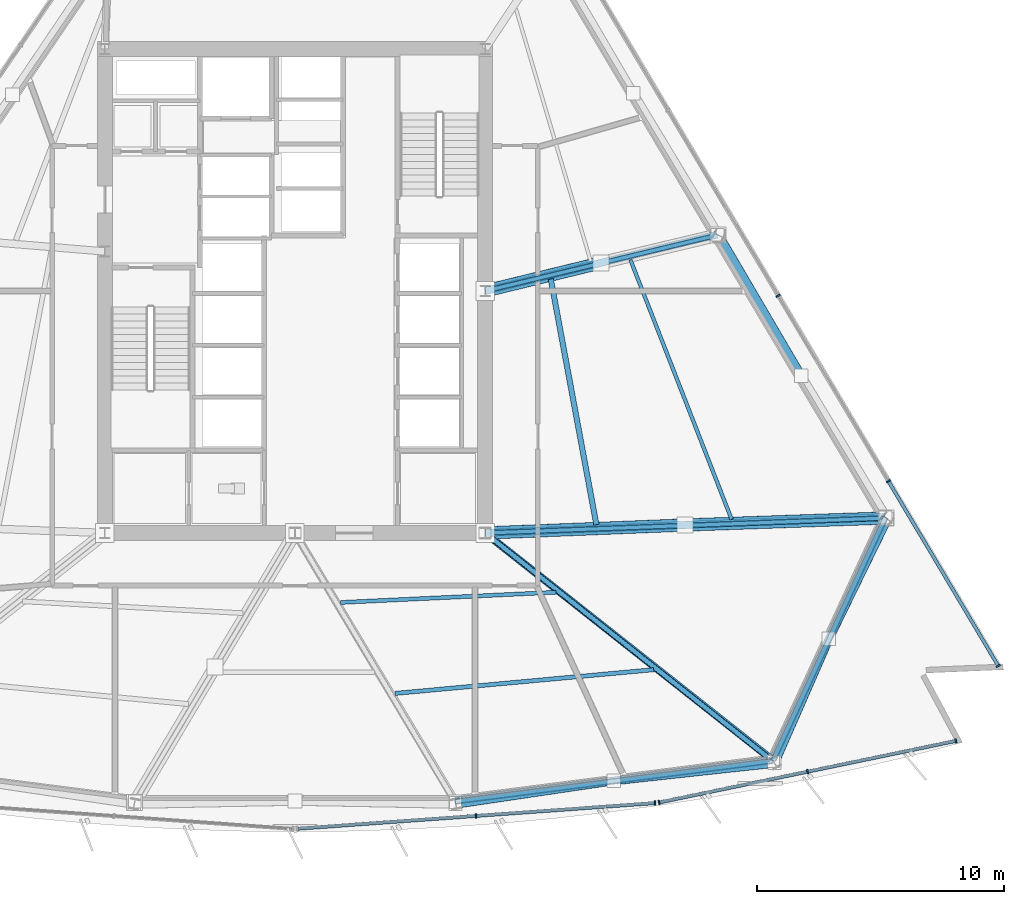
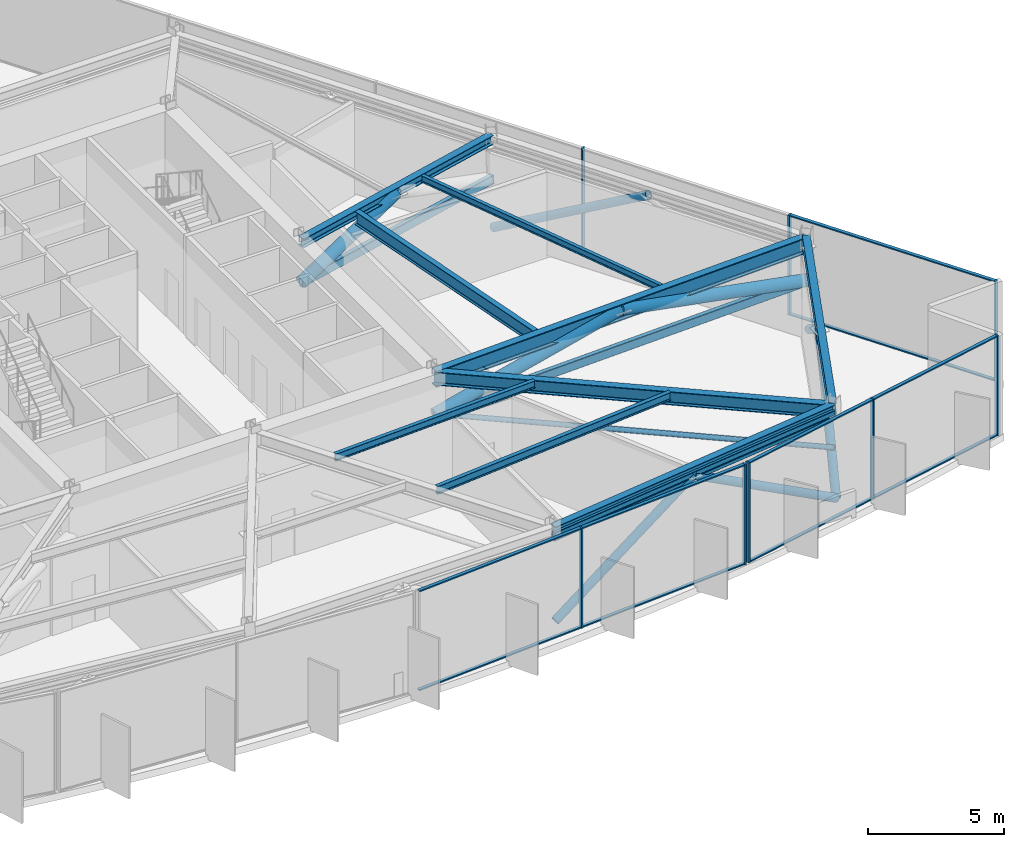
# One storey, part 5 of 16: 31 members, 9 beams, 3 elements without a shape of their own.
"""IFC4 building model written with IfcOpenShell, lengths in metres."""

import ifcopenshell
import ifcopenshell.guid

model = None  # the IFC model being written
_history = None  # IfcOwnerHistory: only IFC2X3 demands one
_inside = {}  # id of a spatial element -> (the spatial element, [elements in it])
_under = {}  # id of a project, library or spatial element -> (it, [spatial elements below it])
_declared = {}  # id of a project -> (the project, [libraries it declares])
_typed = {}  # id of a type object -> (the type object, [elements of that type])
_made_of = {}  # id of a material, layer set ... -> (it, [elements and type objects made of it])


def new_model(schema):
    """Start an empty IFC model of exactly this schema.

    Asked for "IFC4X3", IfcOpenShell would pick the latest addendum, in which some entities
    have other attributes; the version numbers below select the first issue.
    IFC2X3 requires an IfcOwnerHistory on every rooted entity: one is made here for all.
    """
    global model, _history
    if schema == "IFC4X3":
        model = ifcopenshell.file(schema_version=(4, 3, 0, 0))
    else:
        model = ifcopenshell.file(schema=schema)
    _inside.clear()
    _under.clear()
    _declared.clear()
    _typed.clear()
    _made_of.clear()
    _history = None
    if model.schema == "IFC2X3":
        org = make("IfcOrganization", Name="unknown")
        user = make(
            "IfcPersonAndOrganization",
            ThePerson=make("IfcPerson", FamilyName="unknown"),
            TheOrganization=org,
        )
        app = make(
            "IfcApplication",
            ApplicationDeveloper=org,
            Version="unknown",
            ApplicationFullName="unknown",
            ApplicationIdentifier="unknown",
        )
        _history = make(
            "IfcOwnerHistory",
            OwningUser=user,
            OwningApplication=app,
            ChangeAction="ADDED",
            CreationDate=0,
        )
    return model


def make(cls, **values):
    """One entity of the class cls with the attributes given. An attribute that is None is left unset."""
    return model.create_entity(
        cls, **{name: value for name, value in values.items() if value is not None}
    )


def rooted(cls, **values):
    """An entity with a GlobalId (a new one), such as an element, a storey or a relation."""
    return make(cls, GlobalId=ifcopenshell.guid.new(), OwnerHistory=_history, **values)


def si_unit(unit_type, name, prefix=None):
    """IfcSIUnit, for example si_unit("LENGTHUNIT", "METRE", prefix="MILLI")."""
    return make("IfcSIUnit", UnitType=unit_type, Prefix=prefix, Name=name)


def assignment(units):
    """IfcUnitAssignment: the units of a project."""
    return None if units is None else make("IfcUnitAssignment", Units=units)


def point(xyz):
    """IfcCartesianPoint."""
    return None if xyz is None else make("IfcCartesianPoint", Coordinates=xyz)


def direction(xyz):
    """IfcDirection."""
    return None if xyz is None else make("IfcDirection", DirectionRatios=xyz)


def frame(location, z_axis=None, x_axis=None):
    """IfcAxis2Placement3D, a coordinate frame: its origin and axes. An axis left out is left unset."""
    return make(
        "IfcAxis2Placement3D",
        Location=point(location),
        Axis=direction(z_axis),
        RefDirection=direction(x_axis),
    )


def frame_2d(location, x_axis=None):
    """IfcAxis2Placement2D, a coordinate frame in the plane: its origin and x axis."""
    return make(
        "IfcAxis2Placement2D", Location=point(location), RefDirection=direction(x_axis)
    )


def origin():
    """The frame at (0, 0, 0) with its axes left unset."""
    return frame((0.0, 0.0, 0.0))


def origin_2d():
    """The frame at (0, 0) in the plane with its x axis left unset."""
    return frame_2d((0.0, 0.0))


def place(relative_to, where):
    """IfcLocalPlacement: puts the frame where relative to a parent placement (None: the world)."""
    return make(
        "IfcLocalPlacement", PlacementRelTo=relative_to, RelativePlacement=where
    )


def context(
    kind, dimensions, precision=None, world=None, true_north=None, identifier=None
):
    """IfcGeometricRepresentationContext, for example the 3D "Model" context."""
    return make(
        "IfcGeometricRepresentationContext",
        ContextIdentifier=identifier,
        ContextType=kind,
        CoordinateSpaceDimension=dimensions,
        Precision=precision,
        WorldCoordinateSystem=world,
        TrueNorth=true_north,
    )


def subcontext(parent, identifier, kind, view, scale=None):
    """IfcGeometricRepresentationSubContext, for example "Body" below "Model"."""
    return make(
        "IfcGeometricRepresentationSubContext",
        ContextIdentifier=identifier,
        ContextType=kind,
        ParentContext=parent,
        TargetScale=scale,
        TargetView=view,
    )


def project(units=None, contexts=None):
    """IfcProject with its units and contexts."""
    return rooted(
        "IfcProject",
        Name="project",
        RepresentationContexts=contexts,
        UnitsInContext=assignment(units),
    )


def spatial(cls, under=None, at=None, **own):
    """A site, building, storey or space (cls), placed at a placement, below another one or the project."""
    s = rooted(cls, ObjectPlacement=at, **own)
    if under is not None:
        _under.setdefault(under.id(), (under, []))[1].append(s)
    return s


def profile(cls, at=None, kind="AREA", **sizes):
    """A parametric profile (cls). Its sizes go by their IFC names, for example OverallWidth=200.0."""
    return make(cls, ProfileType=kind, Position=at, **sizes)


def rectangle(**sizes):
    """IfcRectangleProfileDef."""
    return profile("IfcRectangleProfileDef", **sizes)


def hollow_rectangle(**sizes):
    """IfcRectangleHollowProfileDef."""
    return profile("IfcRectangleHollowProfileDef", **sizes)


def hollow_circle(**sizes):
    """IfcCircleHollowProfileDef."""
    return profile("IfcCircleHollowProfileDef", **sizes)


def i_section(**sizes):
    """IfcIShapeProfileDef."""
    return profile("IfcIShapeProfileDef", **sizes)


def extrude(swept, where, along, depth):
    """IfcExtrudedAreaSolid: the profile swept, set in the frame where, extruded along a direction by depth."""
    return make(
        "IfcExtrudedAreaSolid",
        SweptArea=swept,
        Position=where,
        ExtrudedDirection=direction(along),
        Depth=depth,
    )


def shape(context_of_items, identifier, shape_type, items):
    """IfcShapeRepresentation: the items that make up one representation, for example the "Body"."""
    return make(
        "IfcShapeRepresentation",
        ContextOfItems=context_of_items,
        RepresentationIdentifier=identifier,
        RepresentationType=shape_type,
        Items=items,
    )


def material(Name=None, Category=None):
    """IfcMaterial."""
    return make("IfcMaterial", Name=Name, Category=Category)


def material_profile(
    of_material, cross_section, Name=None, Category=None, Priority=None
):
    """IfcMaterialProfile: a cross section and its material."""
    return make(
        "IfcMaterialProfile",
        Name=Name,
        Material=of_material,
        Profile=cross_section,
        Priority=Priority,
        Category=Category,
    )


def profile_set(profiles, Name=None, composite=None):
    """IfcMaterialProfileSet."""
    return make(
        "IfcMaterialProfileSet",
        Name=Name,
        MaterialProfiles=profiles,
        CompositeProfile=composite,
    )


def made_of(thing, what):
    """Note that an element or type object is made of a material, layer set ...; save() writes the relation."""
    if what is not None:
        _made_of.setdefault(what.id(), (what, []))[1].append(thing)
    return thing


def type_object(cls, material=None, **own):
    """A type object (cls), such as IfcWallType, which elements share."""
    return made_of(rooted(cls, **own), material)


def element(
    cls,
    number,
    at=None,
    inside=None,
    cuts=None,
    type_object=None,
    material=None,
    context=None,
    identifier="Body",
    shape_type=None,
    held_by="IfcProductDefinitionShape",
    body=None,
    shapes=None,
    **own,
):
    """One element of the class cls, such as IfcWall. Its Tag is "e" and its number.

    at: its placement. inside: the storey or other place that contains it. cuts: it is an
    opening in that element (IfcRelVoidsElement). A single representation is given by context,
    identifier, shape_type and body (its items); several are given by shapes. held_by: the class
    of the entity that holds the representations. save() writes the other relations.
    """
    e = rooted(cls, Tag="e%d" % number, ObjectPlacement=at, **own)
    if body is not None:
        shapes = [shape(context, identifier, shape_type, body)]
    if shapes is not None:
        e.Representation = make(held_by, Representations=shapes)
    if inside is not None:
        _inside.setdefault(inside.id(), (inside, []))[1].append(e)
    if cuts is not None:
        rooted(
            "IfcRelVoidsElement", RelatingBuildingElement=cuts, RelatedOpeningElement=e
        )
    if type_object is not None:
        _typed.setdefault(type_object.id(), (type_object, []))[1].append(e)
    return made_of(e, material)


def aggregate(whole, parts):
    """IfcRelAggregates: a whole, such as a stair, and the parts it consists of."""
    return rooted("IfcRelAggregates", RelatingObject=whole, RelatedObjects=parts)


def save(model, path):
    """Write the relations noted so far, then the file.

    IfcRelAggregates (storeys below a building ...), IfcRelContainedInSpatialStructure (elements
    in a storey), IfcRelDefinesByType, IfcRelAssociatesMaterial and IfcRelDeclares: one each for
    every whole, place, type object, material and project.
    """
    for whole, parts in _under.values():
        aggregate(whole, parts)
    for where, things in _inside.values():
        rooted(
            "IfcRelContainedInSpatialStructure",
            RelatedElements=things,
            RelatingStructure=where,
        )
    for kind, things in _typed.values():
        rooted("IfcRelDefinesByType", RelatedObjects=things, RelatingType=kind)
    for what, things in _made_of.values():
        rooted("IfcRelAssociatesMaterial", RelatedObjects=things, RelatingMaterial=what)
    for by, libraries in _declared.values():
        rooted("IfcRelDeclares", RelatingContext=by, RelatedDefinitions=libraries)
    model.write(path)


model = new_model("IFC4")

# Units and contexts
model_context = context("Model", 3, precision=1e-05, world=origin(), true_north=direction((0.0, 1.0)))
body_context = subcontext(model_context, "Body", "Model", "MODEL_VIEW")
ifc_project = project(units=[si_unit("LENGTHUNIT", "METRE"), si_unit("AREAUNIT", "SQUARE_METRE"), si_unit("VOLUMEUNIT", "CUBIC_METRE"), si_unit("PLANEANGLEUNIT", "RADIAN"), si_unit("MASSUNIT", "GRAM", prefix="KILO")], contexts=[model_context])

# Site, building, storey
site_placement = place(None, origin())
site = spatial("IfcSite", under=ifc_project, at=site_placement, CompositionType="ELEMENT")
building_placement = place(site_placement, origin())
building = spatial("IfcBuilding", under=site, at=building_placement, Name="Savorim Split Tower", CompositionType="ELEMENT")
storey_placement = place(building_placement, frame((0.0, 0.0, 73.199951171875)))
storey = spatial("IfcBuildingStorey", under=building, at=storey_placement, Name="L19", CompositionType="ELEMENT", Elevation=73.199951171875)

# Beams
ifc_material_1 = material(Name="Steel S355", Category="steel")
ifc_material_profile_1 = material_profile(ifc_material_1, i_section(OverallWidth=0.14990234375, OverallDepth=0.300048828125, WebThickness=0.007080078125, FlangeThickness=0.0107421875, FilletRadius=0.014892578125, at=origin_2d()), Name="IPE 300")
ifc_profile_set_1 = profile_set([ifc_material_profile_1], Name="Steel S355")
beam_type_1 = type_object("IfcBeamType", Name="BM-JST-IPE300", PredefinedType="JOIST", material=ifc_profile_set_1)
beam_1_placement = place(storey_placement, frame((17.68359375, -8.850830078125, 4.35009765625), z_axis=(-0.36324034173, 0.931695472856, 0.0), x_axis=(-0.931695472856, -0.36324034173, 0.0)))
element("IfcBeam", 1, at=beam_1_placement, inside=storey, type_object=beam_type_1, Name="L19 Secondary Floor Joist JS-06", PredefinedType="JOIST", context=body_context, shape_type="SweptSolid", body=[
    extrude(i_section(OverallWidth=0.14990234375, OverallDepth=0.300048828125, WebThickness=0.007080078125, FlangeThickness=0.0107421875, FilletRadius=0.014892578125, at=origin_2d()), origin(), (0.0, 0.0, 1.0), 11.288818359375),
])
ifc_material_profile_2 = material_profile(ifc_material_1, i_section(OverallWidth=0.159912109375, OverallDepth=0.330078125, WebThickness=0.007568359375, FlangeThickness=0.011474609375, FilletRadius=0.01806640625, at=origin_2d()), Name="IPE 330")
ifc_profile_set_2 = profile_set([ifc_material_profile_2], Name="Steel S355")
beam_type_2 = type_object("IfcBeamType", Name="BM-JST-IPE330", PredefinedType="JOIST", material=ifc_profile_set_2)
beam_2_placement = place(storey_placement, frame((1.845458984375, -12.2138671875, 4.3349609375), z_axis=(0.99887502237, 0.047420350957, 0.0), x_axis=(-0.047420350957, 0.99887502237, 0.0)))
element("IfcBeam", 2, at=beam_2_placement, inside=storey, type_object=beam_type_2, Name="L19 Secondary Floor Joist JS-05", PredefinedType="JOIST", context=body_context, shape_type="SweptSolid", body=[
    extrude(i_section(OverallWidth=0.159912109375, OverallDepth=0.330078125, WebThickness=0.007568359375, FlangeThickness=0.011474609375, FilletRadius=0.01806640625, at=origin_2d()), origin(), (0.0, 0.0, 1.0), 8.731689453125),
])
ifc_material_profile_3 = material_profile(ifc_material_1, i_section(OverallWidth=0.169921875, OverallDepth=0.360107421875, WebThickness=0.008056640625, FlangeThickness=0.0126953125, FilletRadius=0.01806640625, at=origin_2d()), Name="IPE 360")
ifc_profile_set_3 = profile_set([ifc_material_profile_3], Name="Steel S355")
beam_type_3 = type_object("IfcBeamType", Name="BM-JST-IPE360", PredefinedType="JOIST", material=ifc_profile_set_3)
beam_3_placement = place(storey_placement, frame((4.049072265625, -15.896484375, 4.320068359375), z_axis=(0.995816586485, 0.09137464682, 0.0), x_axis=(-0.09137464682, 0.995816586485, 0.0)))
element("IfcBeam", 3, at=beam_3_placement, inside=storey, type_object=beam_type_3, Name="L19 Secondary Floor Joist JS-04", PredefinedType="JOIST", context=body_context, shape_type="SweptSolid", body=[
    extrude(i_section(OverallWidth=0.169921875, OverallDepth=0.360107421875, WebThickness=0.008056640625, FlangeThickness=0.0126953125, FilletRadius=0.01806640625, at=origin_2d()), origin(), (0.0, 0.0, 1.0), 10.521728515625),
])
ifc_material_profile_4 = material_profile(ifc_material_1, i_section(OverallWidth=0.219970703125, OverallDepth=0.60009765625, WebThickness=0.011962890625, FlangeThickness=0.01904296875, FilletRadius=0.02392578125, at=origin_2d()), Name="IPE 600")
ifc_profile_set_4 = profile_set([ifc_material_profile_4], Name="Steel S355")
beam_type_4 = type_object("IfcBeamType", Name="BM-JST-IPE600", PredefinedType="JOIST", material=ifc_profile_set_4)
beam_4_placement = place(storey_placement, frame((12.205810546875, -9.06201171875, 4.199951171875), z_axis=(-0.182537858569, 0.98319882536, 0.0), x_axis=(-0.98319882536, -0.182537858569, 0.0)))
element("IfcBeam", 4, at=beam_4_placement, inside=storey, type_object=beam_type_4, Name="L19 Secondary Floor Joist JS-08", PredefinedType="JOIST", context=body_context, shape_type="SweptSolid", body=[
    extrude(i_section(OverallWidth=0.219970703125, OverallDepth=0.60009765625, WebThickness=0.011962890625, FlangeThickness=0.01904296875, FilletRadius=0.02392578125, at=origin_2d()), origin(), (0.0, 0.0, 1.0), 10.114013671875),
])
ifc_material_profile_5 = material_profile(ifc_material_1, i_section(OverallWidth=0.300048828125, OverallDepth=0.39990234375, WebThickness=0.013427734375, FlangeThickness=0.02392578125, FilletRadius=0.027099609375, at=origin_2d()), Name="HEB 400")
ifc_profile_set_5 = profile_set([ifc_material_profile_5], Name="Steel S355")
beam_type_5 = type_object("IfcBeamType", Name="BM-PRI-HEB400", PredefinedType="BEAM", material=ifc_profile_set_5)
beam_5_placement = place(storey_placement, frame((17.0947265625, 2.683837890625, 4.300048828125), z_axis=(-0.971698001255, -0.236226574199, 0.0), x_axis=(0.236226574199, -0.971698001255, 0.0)))
element("IfcBeam", 5, at=beam_5_placement, inside=storey, type_object=beam_type_5, Name="L19 Primary Floor Girder RG-06", PredefinedType="BEAM", context=body_context, shape_type="SweptSolid", body=[
    extrude(i_section(OverallWidth=0.300048828125, OverallDepth=0.39990234375, WebThickness=0.013427734375, FlangeThickness=0.02392578125, FilletRadius=0.027099609375, at=origin_2d()), origin(), (0.0, 0.0, 1.0), 9.66845703125),
])
ifc_material_profile_6 = material_profile(ifc_material_1, i_section(OverallWidth=0.300048828125, OverallDepth=0.60009765625, WebThickness=0.015380859375, FlangeThickness=0.030029296875, FilletRadius=0.027099609375, at=origin_2d()), Name="HEB 600")
ifc_profile_set_6 = profile_set([ifc_material_profile_6], Name="Steel S355")
beam_type_6 = type_object("IfcBeamType", Name="BM-PRI-HEB600", PredefinedType="BEAM", material=ifc_profile_set_6)
beam_6_placement = place(storey_placement, frame((19.343505859375, -18.6005859375, 4.199951171875), z_axis=(-0.784607278969, 0.619993078823, 0.0), x_axis=(-0.619993078823, -0.784607278969, 0.0)))
element("IfcBeam", 6, at=beam_6_placement, inside=storey, type_object=beam_type_6, Name="L19 Primary Floor Girder RG-04", PredefinedType="BEAM", context=body_context, shape_type="SweptSolid", body=[
    extrude(i_section(OverallWidth=0.300048828125, OverallDepth=0.60009765625, WebThickness=0.015380859375, FlangeThickness=0.030029296875, FilletRadius=0.027099609375, at=origin_2d()), origin(), (0.0, 0.0, 1.0), 14.840087890625),
])
ifc_material_2 = material(Name="Steel S460", Category="steel")
ifc_material_profile_7 = material_profile(ifc_material_2, i_section(OverallWidth=0.303955078125, OverallDepth=0.716064453125, WebThickness=0.02099609375, FlangeThickness=0.0400390625, FilletRadius=0.027099609375, at=origin_2d()), Name="HE 700 M")
ifc_profile_set_7 = profile_set([ifc_material_profile_7], Name="Steel S460")
beam_type_7 = type_object("IfcBeamType", Name="BM-PRI-HEM700", PredefinedType="BEAM", material=ifc_profile_set_7)
beam_7_placement = place(storey_placement, frame((23.896240234375, -8.754638671875, 4.14208984375), z_axis=(-0.999207322057, -0.039808636602, 0.0), x_axis=(0.039808636602, -0.999207322057, 0.0)))
element("IfcBeam", 7, at=beam_7_placement, inside=storey, type_object=beam_type_7, Name="L19 Primary Floor Girder RG-05", PredefinedType="BEAM", context=body_context, shape_type="SweptSolid", body=[
    extrude(i_section(OverallWidth=0.303955078125, OverallDepth=0.716064453125, WebThickness=0.02099609375, FlangeThickness=0.0400390625, FilletRadius=0.027099609375, at=origin_2d()), origin(), (0.0, 0.0, 1.0), 16.209228515625),
])
ifc_material_profile_8 = material_profile(ifc_material_1, i_section(OverallWidth=0.300048828125, OverallDepth=0.489990234375, WebThickness=0.011962890625, FlangeThickness=0.02294921875, FilletRadius=0.027099609375, at=origin_2d()), Name="HEA 500")
ifc_profile_set_8 = profile_set([ifc_material_profile_8], Name="Steel S355")
beam_type_8 = type_object("IfcBeamType", Name="BM-SPN-HEA500", PredefinedType="SPANDREL", material=ifc_profile_set_8)
beam_8_placement = place(storey_placement, frame((6.48291015625, -20.251708984375, 4.255126953125), z_axis=(0.991858995601, 0.127341010066, 0.0), x_axis=(-0.127341010066, 0.991858995601, 0.0)))
element("IfcBeam", 8, at=beam_8_placement, inside=storey, type_object=beam_type_8, Name="L19 Perimeter Spandrel Beam 3", PredefinedType="SPANDREL", context=body_context, shape_type="SweptSolid", body=[
    extrude(i_section(OverallWidth=0.300048828125, OverallDepth=0.489990234375, WebThickness=0.011962890625, FlangeThickness=0.02294921875, FilletRadius=0.027099609375, at=origin_2d()), origin(), (0.0, 0.0, 1.0), 12.966064453125),
])
beam_9_placement = place(storey_placement, frame((19.343505859375, -18.6005859375, 4.255126953125), z_axis=(0.41970032993, 0.907662730896, 0.0), x_axis=(-0.907662730896, 0.41970032993, 0.0)))
element("IfcBeam", 9, at=beam_9_placement, inside=storey, type_object=beam_type_8, Name="L19 Perimeter Spandrel Beam 4", PredefinedType="SPANDREL", context=body_context, shape_type="SweptSolid", body=[
    extrude(i_section(OverallWidth=0.300048828125, OverallDepth=0.489990234375, WebThickness=0.011962890625, FlangeThickness=0.02294921875, FilletRadius=0.027099609375, at=origin_2d()), origin(), (0.0, 0.0, 1.0), 10.84765625),
])

# Curtain wall, members
ifc_material_3 = material(Name="Dark Ceramic-Fritted Insulated Glass", Category="glass")
curtain_wall_type = type_object("IfcCurtainWallType", Name="CW-REFUGE-LVR", PredefinedType="NOTDEFINED", material=ifc_material_3)
curtain_wall_1_placement = place(storey_placement, origin())
curtain_wall_1 = element("IfcCurtainWall", 10, at=curtain_wall_1_placement, inside=storey, type_object=curtain_wall_type, Name="L19 Curtain Wall CW-L19-SF3", PredefinedType="NOTDEFINED")
ifc_material_4 = material(Name="Charcoal Anodised Aluminium", Category="aluminium")
ifc_material_profile_9 = material_profile(ifc_material_4, rectangle(XDim=0.179931640625, YDim=0.06494140625, at=origin_2d()), Name="ALU-M 180x65")
ifc_profile_set_9 = profile_set([ifc_material_profile_9], Name="Charcoal Anodised Aluminium")
member_type_1 = type_object("IfcMemberType", Name="CWM-180x65", PredefinedType="MULLION", material=ifc_profile_set_9)
member_1_placement = place(storey_placement, frame((7.33203125, -20.8544921875, 0.0), z_axis=(0.0, 0.0, 1.0), x_axis=(-0.071560540796, 0.997436258114, 0.0)))
member_1 = element("IfcMember", 11, at=member_1_placement, type_object=member_type_1, Name="CW-06 mullion 2", PredefinedType="MULLION", context=body_context, shape_type="SweptSolid", body=[
    extrude(rectangle(XDim=0.179931640625, YDim=0.06494140625, at=origin_2d()), origin(), (0.0, 0.0, 1.0), 4.5),
])
member_2_placement = place(storey_placement, frame((14.580322265625, -20.33447265625, 0.0), z_axis=(0.0, 0.0, 1.0), x_axis=(-0.071560540796, 0.997436258114, 0.0)))
member_2 = element("IfcMember", 12, at=member_2_placement, type_object=member_type_1, Name="CW-06 mullion 3", PredefinedType="MULLION", context=body_context, shape_type="SweptSolid", body=[
    extrude(rectangle(XDim=0.179931640625, YDim=0.06494140625, at=origin_2d()), origin(), (0.0, 0.0, 1.0), 4.5),
])

curtain_wall_2_placement = place(storey_placement, origin())
curtain_wall_2 = element("IfcCurtainWall", 13, at=curtain_wall_2_placement, inside=storey, type_object=curtain_wall_type, Name="L19 Curtain Wall CW-L19-SF4", PredefinedType="NOTDEFINED")
member_3_placement = place(storey_placement, frame((14.747314453125, -20.311279296875, 0.0), z_axis=(0.0, 0.0, 1.0), x_axis=(-0.203210153081, 0.979135145772, 0.0)))
member_3 = element("IfcMember", 14, at=member_3_placement, type_object=member_type_1, Name="CW-06 mullion 1", PredefinedType="MULLION", context=body_context, shape_type="SweptSolid", body=[
    extrude(rectangle(XDim=0.179931640625, YDim=0.06494140625, at=origin_2d()), origin(), (0.0, 0.0, 1.0), 4.5),
])
member_4_placement = place(storey_placement, frame((20.75634765625, -19.064208984375, 0.0), z_axis=(0.0, 0.0, 1.0), x_axis=(-0.203210153081, 0.979135145772, 0.0)))
member_4 = element("IfcMember", 15, at=member_4_placement, type_object=member_type_1, Name="CW-06 mullion 2", PredefinedType="MULLION", context=body_context, shape_type="SweptSolid", body=[
    extrude(rectangle(XDim=0.179931640625, YDim=0.06494140625, at=origin_2d()), origin(), (0.0, 0.0, 1.0), 4.5),
])
member_5_placement = place(storey_placement, frame((26.76513671875, -17.81689453125, 0.0), z_axis=(0.0, 0.0, 1.0), x_axis=(-0.203210153081, 0.979135145772, 0.0)))
member_5 = element("IfcMember", 16, at=member_5_placement, type_object=member_type_1, Name="CW-06 mullion 3", PredefinedType="MULLION", context=body_context, shape_type="SweptSolid", body=[
    extrude(rectangle(XDim=0.179931640625, YDim=0.06494140625, at=origin_2d()), origin(), (0.0, 0.0, 1.0), 4.5),
])

curtain_wall_3_placement = place(storey_placement, origin())
curtain_wall_3 = element("IfcCurtainWall", 17, at=curtain_wall_3_placement, inside=storey, type_object=curtain_wall_type, Name="L19 Curtain Wall CW-L19-EAST", PredefinedType="NOTDEFINED")
member_6_placement = place(storey_placement, frame((28.480224609375, -14.78173828125, 0.0), z_axis=(0.0, 0.0, 1.0), x_axis=(-0.85952523283, -0.511093312545, 0.0)))
member_6 = element("IfcMember", 18, at=member_6_placement, type_object=member_type_1, Name="CW-06 mullion 1", PredefinedType="MULLION", context=body_context, shape_type="SweptSolid", body=[
    extrude(rectangle(XDim=0.179931640625, YDim=0.06494140625, at=origin_2d()), origin(), (0.0, 0.0, 1.0), 4.5),
])
member_7_placement = place(storey_placement, frame((24.031982421875, -7.30078125, 0.0), z_axis=(0.0, 0.0, 1.0), x_axis=(-0.85952523283, -0.511093312545, 0.0)))
member_7 = element("IfcMember", 19, at=member_7_placement, type_object=member_type_1, Name="CW-06 mullion 2", PredefinedType="MULLION", context=body_context, shape_type="SweptSolid", body=[
    extrude(rectangle(XDim=0.179931640625, YDim=0.06494140625, at=origin_2d()), origin(), (0.0, 0.0, 1.0), 4.5),
])
member_8_placement = place(storey_placement, frame((19.567138671875, 0.2080078125, 0.0), z_axis=(0.0, 0.0, 1.0), x_axis=(-0.85952523283, -0.511093312545, 0.0)))
member_8 = element("IfcMember", 20, at=member_8_placement, type_object=member_type_1, Name="CW-06 mullion 3", PredefinedType="MULLION", context=body_context, shape_type="SweptSolid", body=[
    extrude(rectangle(XDim=0.179931640625, YDim=0.06494140625, at=origin_2d()), origin(), (0.0, 0.0, 1.0), 4.5),
])

# Member
ifc_material_profile_10 = material_profile(ifc_material_4, rectangle(XDim=0.139892578125, YDim=0.054931640625, at=origin_2d()), Name="ALU-T 140x55")
ifc_profile_set_10 = profile_set([ifc_material_profile_10], Name="Charcoal Anodised Aluminium")
member_type_2 = type_object("IfcMemberType", Name="CWT-140x55", PredefinedType="USERDEFINED", material=ifc_profile_set_10)
member_9_placement = place(storey_placement, frame((0.1162109375, -21.3720703125, 0.027587890625), z_axis=(0.997436107345, 0.071562642239, 0.0), x_axis=(-0.071562642239, 0.997436107345, 0.0)))
member_9 = element("IfcMember", 21, at=member_9_placement, type_object=member_type_2, Name="CW-06 transom 1.1", ObjectType="TRANSOM", PredefinedType="USERDEFINED", context=body_context, shape_type="SweptSolid", body=[
    extrude(rectangle(XDim=0.139892578125, YDim=0.054931640625, at=origin_2d()), origin(), (0.0, 0.0, 1.0), 7.201904296875),
])

member_10_placement = place(storey_placement, frame((0.1162109375, -21.3720703125, 4.47265625), z_axis=(0.997436107345, 0.071562642239, 0.0), x_axis=(-0.071562642239, 0.997436107345, 0.0)))
member_10 = element("IfcMember", 22, at=member_10_placement, type_object=member_type_2, Name="CW-06 transom 1.2", ObjectType="TRANSOM", PredefinedType="USERDEFINED", context=body_context, shape_type="SweptSolid", body=[
    extrude(rectangle(XDim=0.139892578125, YDim=0.054931640625, at=origin_2d()), origin(), (0.0, 0.0, 1.0), 7.201904296875),
])

member_11_placement = place(storey_placement, frame((7.364501953125, -20.85205078125, 0.027587890625), z_axis=(0.997436107345, 0.071562642239, 0.0), x_axis=(-0.071562642239, 0.997436107345, 0.0)))
member_11 = element("IfcMember", 23, at=member_11_placement, type_object=member_type_2, Name="CW-06 transom 2.1", ObjectType="TRANSOM", PredefinedType="USERDEFINED", context=body_context, shape_type="SweptSolid", body=[
    extrude(rectangle(XDim=0.139892578125, YDim=0.054931640625, at=origin_2d()), origin(), (0.0, 0.0, 1.0), 7.201904296875),
])

member_12_placement = place(storey_placement, frame((7.364501953125, -20.85205078125, 4.47265625), z_axis=(0.997436107345, 0.071562642239, 0.0), x_axis=(-0.071562642239, 0.997436107345, 0.0)))
member_12 = element("IfcMember", 24, at=member_12_placement, type_object=member_type_2, Name="CW-06 transom 2.2", ObjectType="TRANSOM", PredefinedType="USERDEFINED", context=body_context, shape_type="SweptSolid", body=[
    extrude(rectangle(XDim=0.139892578125, YDim=0.054931640625, at=origin_2d()), origin(), (0.0, 0.0, 1.0), 7.201904296875),
])

aggregate(curtain_wall_1, [member_1, member_2, member_9, member_10, member_11, member_12])

member_13_placement = place(storey_placement, frame((14.779052734375, -20.3046875, 0.027587890625), z_axis=(0.97913534694, 0.203209183781, 0.0), x_axis=(-0.203209183781, 0.97913534694, 0.0)))
member_13 = element("IfcMember", 25, at=member_13_placement, type_object=member_type_2, Name="CW-06 transom 1.1", ObjectType="TRANSOM", PredefinedType="USERDEFINED", context=body_context, shape_type="SweptSolid", body=[
    extrude(rectangle(XDim=0.139892578125, YDim=0.054931640625, at=origin_2d()), origin(), (0.0, 0.0, 1.0), 6.072021484375),
])

member_14_placement = place(storey_placement, frame((14.779052734375, -20.3046875, 4.47265625), z_axis=(0.97913534694, 0.203209183781, 0.0), x_axis=(-0.203209183781, 0.97913534694, 0.0)))
member_14 = element("IfcMember", 26, at=member_14_placement, type_object=member_type_2, Name="CW-06 transom 1.2", ObjectType="TRANSOM", PredefinedType="USERDEFINED", context=body_context, shape_type="SweptSolid", body=[
    extrude(rectangle(XDim=0.139892578125, YDim=0.054931640625, at=origin_2d()), origin(), (0.0, 0.0, 1.0), 6.072021484375),
])

member_15_placement = place(storey_placement, frame((20.7880859375, -19.0576171875, 0.027587890625), z_axis=(0.97913534694, 0.203209183781, 0.0), x_axis=(-0.203209183781, 0.97913534694, 0.0)))
member_15 = element("IfcMember", 27, at=member_15_placement, type_object=member_type_2, Name="CW-06 transom 2.1", ObjectType="TRANSOM", PredefinedType="USERDEFINED", context=body_context, shape_type="SweptSolid", body=[
    extrude(rectangle(XDim=0.139892578125, YDim=0.054931640625, at=origin_2d()), origin(), (0.0, 0.0, 1.0), 6.072021484375),
])

member_16_placement = place(storey_placement, frame((20.7880859375, -19.0576171875, 4.47265625), z_axis=(0.97913534694, 0.203209183781, 0.0), x_axis=(-0.203209183781, 0.97913534694, 0.0)))
member_16 = element("IfcMember", 28, at=member_16_placement, type_object=member_type_2, Name="CW-06 transom 2.2", ObjectType="TRANSOM", PredefinedType="USERDEFINED", context=body_context, shape_type="SweptSolid", body=[
    extrude(rectangle(XDim=0.139892578125, YDim=0.054931640625, at=origin_2d()), origin(), (0.0, 0.0, 1.0), 6.072021484375),
])

aggregate(curtain_wall_2, [member_3, member_4, member_5, member_13, member_14, member_15, member_16])

member_17_placement = place(storey_placement, frame((28.463623046875, -14.753662109375, 0.027587890625), z_axis=(-0.511100223455, 0.859521123408, 0.0), x_axis=(-0.859521123408, -0.511100223455, 0.0)))
member_17 = element("IfcMember", 29, at=member_17_placement, type_object=member_type_2, Name="CW-06 transom 1.1", ObjectType="TRANSOM", PredefinedType="USERDEFINED", context=body_context, shape_type="SweptSolid", body=[
    extrude(rectangle(XDim=0.139892578125, YDim=0.054931640625, at=origin_2d()), origin(), (0.0, 0.0, 1.0), 8.63818359375),
])

member_18_placement = place(storey_placement, frame((28.463623046875, -14.753662109375, 4.47265625), z_axis=(-0.511100223455, 0.859521123408, 0.0), x_axis=(-0.859521123408, -0.511100223455, 0.0)))
member_18 = element("IfcMember", 30, at=member_18_placement, type_object=member_type_2, Name="CW-06 transom 1.2", ObjectType="TRANSOM", PredefinedType="USERDEFINED", context=body_context, shape_type="SweptSolid", body=[
    extrude(rectangle(XDim=0.139892578125, YDim=0.054931640625, at=origin_2d()), origin(), (0.0, 0.0, 1.0), 8.63818359375),
])

aggregate(curtain_wall_3, [member_6, member_7, member_8, member_17, member_18])

# Members
ifc_material_profile_11 = material_profile(ifc_material_1, hollow_circle(Radius=0.109619140625, WallThickness=0.012451171875, at=origin_2d()), Name="CHS 219.1x12.5")
ifc_profile_set_11 = profile_set([ifc_material_profile_11], Name="Steel S355")
member_type_3 = type_object("IfcMemberType", Name="MBR-BAY-CHS219", PredefinedType="BRACE", material=ifc_profile_set_11)
member_19_placement = place(storey_placement, frame((7.699951171875, -9.39990234375, 2.52001953125), z_axis=(0.783625810108, -0.621233120279, 0.0), x_axis=(0.621233120279, 0.783625810108, 0.0)))
element("IfcMember", 31, at=member_19_placement, inside=storey, type_object=member_type_3, Name="L19 Secondary Belt Tie Strut 2", PredefinedType="BRACE", context=body_context, shape_type="SweptSolid", body=[
    extrude(hollow_circle(Radius=0.109619140625, WallThickness=0.012451171875, at=origin_2d()), origin(), (0.0, 0.0, 1.0), 14.90478515625),
])
ifc_material_profile_12 = material_profile(ifc_material_2, hollow_circle(Radius=0.177734375, WallThickness=0.02001953125, at=origin_2d()), Name="CHS 355.6x20")
ifc_profile_set_12 = profile_set([ifc_material_profile_12], Name="Steel S460")
member_type_4 = type_object("IfcMemberType", Name="MBR-BLT-CHS355", PredefinedType="BRACE", material=ifc_profile_set_12)
member_20_placement = place(storey_placement, frame((6.507080078125, -20.374267578125, 0.280029296875), z_axis=(0.856049437831, 0.126715805348, 0.501121207557), x_axis=(-0.146428423506, 0.989221267862, 0.0)))
element("IfcMember", 32, at=member_20_placement, inside=storey, type_object=member_type_4, Name="L19 Perimeter Belt Truss Brace 3A", PredefinedType="BRACE", context=body_context, shape_type="SweptSolid", body=[
    extrude(hollow_circle(Radius=0.177734375, WallThickness=0.02001953125, at=origin_2d()), origin(), (0.0, 0.0, 1.0), 7.483154296875),
])
member_21_placement = place(storey_placement, frame((19.415283203125, -18.717041015625, 0.280029296875), z_axis=(-0.862420089001, -0.094036268481, 0.497381915933), x_axis=(0.108395197295, -0.994107882075, 0.0)))
element("IfcMember", 33, at=member_21_placement, inside=storey, type_object=member_type_4, Name="L19 Perimeter Belt Truss Brace 3B", PredefinedType="BRACE", context=body_context, shape_type="SweptSolid", body=[
    extrude(hollow_circle(Radius=0.177734375, WallThickness=0.02001953125, at=origin_2d()), origin(), (0.0, 0.0, 1.0), 7.53955078125),
])
member_22_placement = place(storey_placement, frame((19.415283203125, -18.717041015625, 0.280029296875), z_axis=(0.331153205243, 0.756994957102, 0.563290501942), x_axis=(-0.916171595365, 0.400786237097, 0.0)))
element("IfcMember", 34, at=member_22_placement, inside=storey, type_object=member_type_4, Name="L19 Perimeter Belt Truss Brace 4A", PredefinedType="BRACE", context=body_context, shape_type="SweptSolid", body=[
    extrude(hollow_circle(Radius=0.177734375, WallThickness=0.02001953125, at=origin_2d()), origin(), (0.0, 0.0, 1.0), 6.6572265625),
])
member_23_placement = place(storey_placement, frame((23.987060546875, -8.82958984375, 0.280029296875), z_axis=(-0.360288677459, -0.737856050773, 0.570754340529), x_axis=(0.898596148192, -0.438776665804, 0.0)))
element("IfcMember", 35, at=member_23_placement, inside=storey, type_object=member_type_4, Name="L19 Perimeter Belt Truss Brace 4B", PredefinedType="BRACE", context=body_context, shape_type="SweptSolid", body=[
    extrude(hollow_circle(Radius=0.177734375, WallThickness=0.02001953125, at=origin_2d()), origin(), (0.0, 0.0, 1.0), 6.5703125),
])
member_24_placement = place(storey_placement, frame((17.16064453125, 2.650634765625, 0.280029296875), z_axis=(0.439742510663, -0.749751323085, 0.494468884611), x_axis=(0.862580937771, 0.505919090165, 0.0)))
element("IfcMember", 36, at=member_24_placement, inside=storey, type_object=member_type_4, Name="L19 Perimeter Belt Truss Brace 5B", PredefinedType="BRACE", context=body_context, shape_type="SweptSolid", body=[
    extrude(hollow_circle(Radius=0.177734375, WallThickness=0.02001953125, at=origin_2d()), origin(), (0.0, 0.0, 1.0), 7.583984375),
])
ifc_material_profile_13 = material_profile(ifc_material_2, hollow_rectangle(XDim=0.199951171875, YDim=0.39990234375, WallThickness=0.01611328125, InnerFilletRadius=0.01611328125, OuterFilletRadius=0.031982421875, at=origin_2d()), Name="RHS 400x200x16")
ifc_profile_set_13 = profile_set([ifc_material_profile_13], Name="Steel S460")
member_type_5 = type_object("IfcMemberType", Name="MBR-CHD-RHS400", PredefinedType="CHORD", material=ifc_profile_set_13)
member_25_placement = place(storey_placement, frame((6.487060546875, -20.272705078125, 4.030029296875), z_axis=(0.991857181472, 0.127355139522, 0.0), x_axis=(-0.127355139522, 0.991857181472, 0.0)))
element("IfcMember", 37, at=member_25_placement, inside=storey, type_object=member_type_5, Name="L19 Perimeter Belt Truss Chord 3", PredefinedType="CHORD", context=body_context, shape_type="SweptSolid", body=[
    extrude(hollow_rectangle(XDim=0.199951171875, YDim=0.39990234375, WallThickness=0.01611328125, InnerFilletRadius=0.01611328125, OuterFilletRadius=0.031982421875, at=origin_2d()), origin(), (0.0, 0.0, 1.0), 12.974365234375),
])
member_26_placement = place(storey_placement, frame((19.355712890625, -18.620361328125, 4.030029296875), z_axis=(0.419711270883, 0.907657671754, 0.0), x_axis=(-0.907657671754, 0.419711270883, 0.0)))
element("IfcMember", 38, at=member_26_placement, inside=storey, type_object=member_type_5, Name="L19 Perimeter Belt Truss Chord 4", PredefinedType="CHORD", context=body_context, shape_type="SweptSolid", body=[
    extrude(hollow_rectangle(XDim=0.199951171875, YDim=0.39990234375, WallThickness=0.01611328125, InnerFilletRadius=0.01611328125, OuterFilletRadius=0.031982421875, at=origin_2d()), origin(), (0.0, 0.0, 1.0), 10.85546875),
])
member_27_placement = place(storey_placement, frame((7.699951171875, -9.39990234375, 2.47998046875), z_axis=(0.999303180066, 0.037324982376, 0.0), x_axis=(-0.037324982376, 0.999303180066, 0.0)))
element("IfcMember", 39, at=member_27_placement, inside=storey, type_object=member_type_5, Name="L19 Outrigger Bottom Chord E1", PredefinedType="CHORD", context=body_context, shape_type="SweptSolid", body=[
    extrude(hollow_rectangle(XDim=0.199951171875, YDim=0.39990234375, WallThickness=0.01611328125, InnerFilletRadius=0.01611328125, OuterFilletRadius=0.031982421875, at=origin_2d()), origin(), (0.0, 0.0, 1.0), 16.254150390625),
])
member_28_placement = place(storey_placement, frame((7.699951171875, 0.39990234375, 2.47998046875), z_axis=(0.972294672521, 0.233758571578, 0.0), x_axis=(-0.233758571578, 0.972294672521, 0.0)))
element("IfcMember", 40, at=member_28_placement, inside=storey, type_object=member_type_5, Name="L19 Outrigger Bottom Chord E2", PredefinedType="CHORD", context=body_context, shape_type="SweptSolid", body=[
    extrude(hollow_rectangle(XDim=0.199951171875, YDim=0.39990234375, WallThickness=0.01611328125, InnerFilletRadius=0.01611328125, OuterFilletRadius=0.031982421875, at=origin_2d()), origin(), (0.0, 0.0, 1.0), 9.697265625),
])
ifc_material_profile_14 = material_profile(ifc_material_2, hollow_circle(Radius=0.25390625, WallThickness=0.02490234375, at=origin_2d()), Name="CHS 508x25")
ifc_profile_set_14 = profile_set([ifc_material_profile_14], Name="Steel S460")
member_type_6 = type_object("IfcMemberType", Name="MBR-OUT-CHS508", PredefinedType="BRACE", material=ifc_profile_set_14)
member_29_placement = place(storey_placement, frame((7.699951171875, -9.39990234375, 2.47998046875), z_axis=(0.977439188645, 0.038926655659, 0.207599007658), x_axis=(-0.039793598545, 0.999207921063, 0.0)))
element("IfcMember", 41, at=member_29_placement, inside=storey, type_object=member_type_6, Name="L19 Outrigger Truss Diagonal E1-A", PredefinedType="BRACE", context=body_context, shape_type="SweptSolid", body=[
    extrude(hollow_circle(Radius=0.25390625, WallThickness=0.02490234375, at=origin_2d()), origin(), (0.0, 0.0, 1.0), 8.28515625),
])
member_30_placement = place(storey_placement, frame((15.798095703125, -9.077392578125, 4.199951171875), z_axis=(0.977852068191, 0.034118276052, -0.20649764157), x_axis=(-0.034869821898, 0.999391862845, 0.0)))
element("IfcMember", 42, at=member_30_placement, inside=storey, type_object=member_type_6, Name="L19 Outrigger Truss Diagonal E1-B", PredefinedType="BRACE", context=body_context, shape_type="SweptSolid", body=[
    extrude(hollow_circle(Radius=0.25390625, WallThickness=0.02490234375, at=origin_2d()), origin(), (0.0, 0.0, 1.0), 8.329345703125),
])
member_31_placement = place(storey_placement, frame((7.699951171875, 0.39990234375, 2.47998046875), z_axis=(0.91547884289, 0.222577310277, 0.335198193865), x_axis=(-0.236244619654, 0.971693614101, 0.0)))
element("IfcMember", 43, at=member_31_placement, inside=storey, type_object=member_type_6, Name="L19 Outrigger Truss Diagonal E2-A", PredefinedType="BRACE", context=body_context, shape_type="SweptSolid", body=[
    extrude(hollow_circle(Radius=0.25390625, WallThickness=0.02490234375, at=origin_2d()), origin(), (0.0, 0.0, 1.0), 5.131103515625),
])

save(model, "model.ifc")
